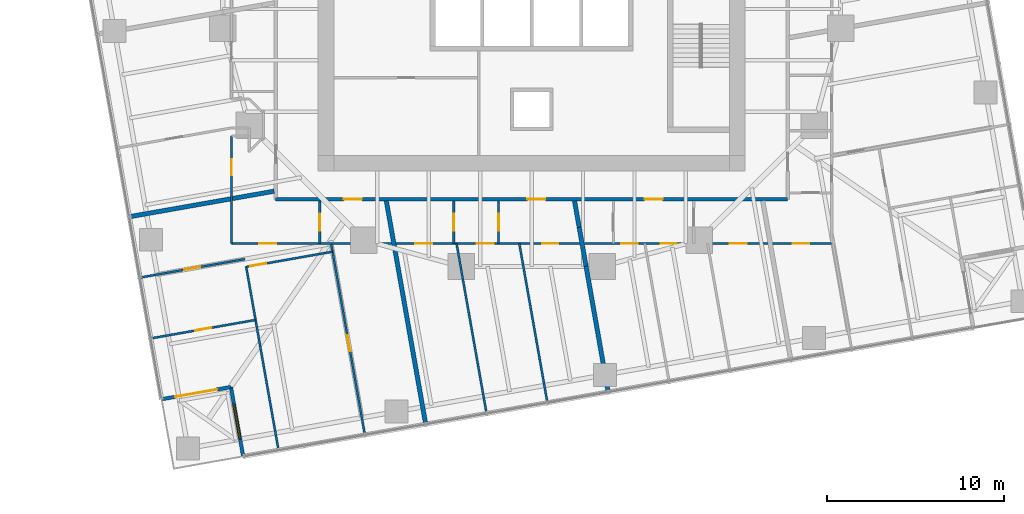
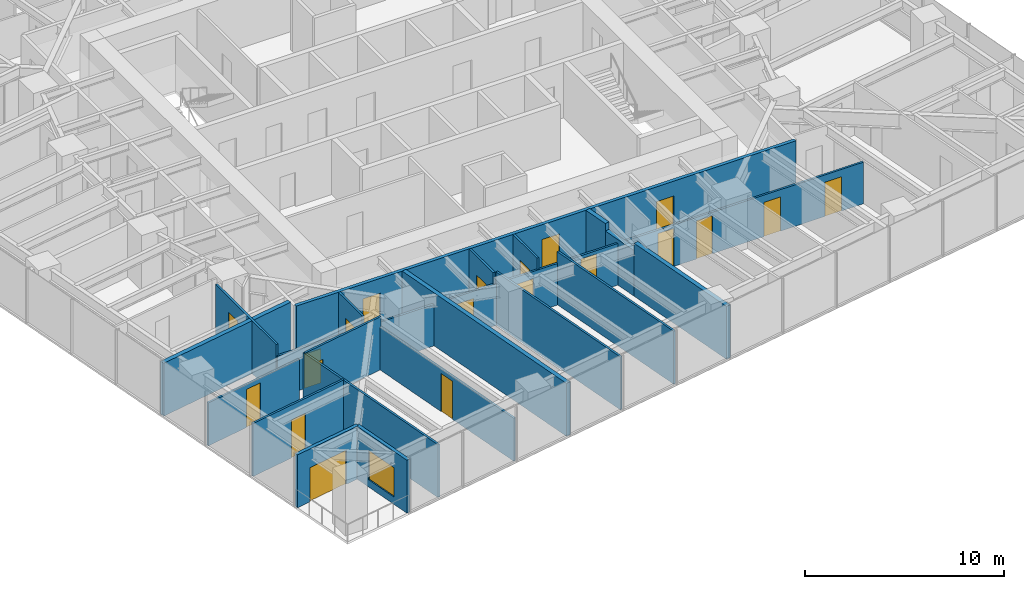
# One storey, part 8 of 14: 20 doors, 20 walls, 1 window, 21 openings.
"""IFC4 building model written with IfcOpenShell, lengths in metres."""

from ifc_helpers import new_model, si_unit, direction, frame, frame_2d, origin, place, context, subcontext, project, spatial, rectangle, extrude, material, layer, layer_set, type_object, element, fill, save


model = new_model("IFC4")

# Units and contexts
model_context = context("Model", 3, precision=1e-05, world=origin(), true_north=direction((0.0, 1.0)))
body_context = subcontext(model_context, "Body", "Model", "MODEL_VIEW")
ifc_project = project(units=[si_unit("LENGTHUNIT", "METRE"), si_unit("AREAUNIT", "SQUARE_METRE"), si_unit("VOLUMEUNIT", "CUBIC_METRE"), si_unit("PLANEANGLEUNIT", "RADIAN"), si_unit("MASSUNIT", "GRAM", prefix="KILO")], contexts=[model_context])

# Site, building, storey
site_placement = place(None, origin())
site = spatial("IfcSite", under=ifc_project, at=site_placement, CompositionType="ELEMENT")
building_placement = place(site_placement, origin())
building = spatial("IfcBuilding", under=site, at=building_placement, Name="Torsade Residences", CompositionType="ELEMENT")
storey_placement = place(building_placement, frame((0.0, 0.0, 89.60009765625)))
storey = spatial("IfcBuildingStorey", under=building, at=storey_placement, Name="L24", CompositionType="ELEMENT", Elevation=89.60009765625)

# Wall, openings, doors
ifc_material_1 = material(Name="Plasterboard on steel stud", Category="steel")
ifc_layer_1 = layer(ifc_material_1, 0.199951171875)
ifc_layer_set_1 = layer_set([ifc_layer_1], Name="Plasterboard on steel stud")
wall_type_1 = type_object("IfcWallType", Name="CORRIDOR WALL 200", PredefinedType="PARTITIONING", material=ifc_layer_set_1)
wall_1_placement = place(storey_placement, frame((25.5, 16.300048828125, 0.0), z_axis=(0.0, 0.0, 1.0), x_axis=(1.0, 0.0, 0.0)))
wall_1 = element("IfcWall", 1, at=wall_1_placement, inside=storey, type_object=wall_type_1, Name="Corridor wall L24", PredefinedType="PARTITIONING", context=body_context, shape_type="SweptSolid", body=[
    extrude(rectangle(XDim=29.0, YDim=0.199951171875, at=frame_2d((14.5, 0.0))), origin(), (0.0, 0.0, 1.0), 3.25),
])
opening_1_placement = place(wall_1_placement, frame((20.896240234375, 0.0, 0.0)))
opening_1 = element("IfcOpeningElement", 2, at=opening_1_placement, cuts=wall_1, Name="Opening D01", PredefinedType="OPENING", context=body_context, shape_type="SweptSolid", body=[
    extrude(rectangle(XDim=1.02001953125, YDim=2.340087890625, at=frame_2d((0.510009765625, 1.169921875))), frame((0.0, 0.10986328125, 0.0), z_axis=(0.0, -1.0, 0.0), x_axis=(1.0, 0.0, 0.0)), (0.0, 0.0, 1.0), 0.219970703125),
])
opening_2_placement = place(wall_1_placement, frame((14.257080078125, 0.0, 0.0)))
opening_2 = element("IfcOpeningElement", 3, at=opening_2_placement, cuts=wall_1, Name="Opening D01", PredefinedType="OPENING", context=body_context, shape_type="SweptSolid", body=[
    extrude(rectangle(XDim=1.02001953125, YDim=2.340087890625, at=frame_2d((0.510009765625, 1.169921875))), frame((0.0, 0.10986328125, 0.0), z_axis=(0.0, -1.0, 0.0), x_axis=(1.0, 0.0, 0.0)), (0.0, 0.0, 1.0), 0.219970703125),
])
opening_3_placement = place(wall_1_placement, frame((3.857421875, 0.0, 0.0)))
opening_3 = element("IfcOpeningElement", 4, at=opening_3_placement, cuts=wall_1, Name="Opening D01", PredefinedType="OPENING", context=body_context, shape_type="SweptSolid", body=[
    extrude(rectangle(XDim=1.02001953125, YDim=2.340087890625, at=frame_2d((0.510009765625, 1.169921875))), frame((0.0, 0.10986328125, 0.0), z_axis=(0.0, -1.0, 0.0), x_axis=(1.0, 0.0, 0.0)), (0.0, 0.0, 1.0), 0.219970703125),
])
ifc_material_2 = material(Name="Solid-core timber fire door", Category="wood")
door_type_1 = type_object("IfcDoorType", Name="APARTMENT ENTRY DOOR 1020x2340", OperationType="NOTDEFINED", PredefinedType="DOOR", material=ifc_material_2)
door_1_placement = place(opening_1_placement, origin())
door_1 = element("IfcDoor", 5, at=door_1_placement, inside=storey, type_object=door_type_1, Name="Door Residential corridor to Kitchen and dining", OperationType="SINGLE_SWING_LEFT", OverallHeight=2.340087890625, OverallWidth=1.02001953125, PredefinedType="DOOR", context=body_context, shape_type="SweptSolid", body=[
    extrude(rectangle(XDim=1.02001953125, YDim=2.340087890625, at=frame_2d((0.510009765625, 1.169921875))), frame((0.0, 0.02490234375, 0.0), z_axis=(0.0, -1.0, 0.0), x_axis=(1.0, 0.0, 0.0)), (0.0, 0.0, 1.0), 0.050048828125),
])
fill(opening_1, door_1)
door_2_placement = place(opening_2_placement, origin())
door_2 = element("IfcDoor", 6, at=door_2_placement, inside=storey, type_object=door_type_1, Name="Door Residential corridor to Kitchen and dining", OperationType="SINGLE_SWING_LEFT", OverallHeight=2.340087890625, OverallWidth=1.02001953125, PredefinedType="DOOR", context=body_context, shape_type="SweptSolid", body=[
    extrude(rectangle(XDim=1.02001953125, YDim=2.340087890625, at=frame_2d((0.510009765625, 1.169921875))), frame((0.0, 0.02490234375, 0.0), z_axis=(0.0, -1.0, 0.0), x_axis=(1.0, 0.0, 0.0)), (0.0, 0.0, 1.0), 0.050048828125),
])
fill(opening_2, door_2)
door_3_placement = place(opening_3_placement, origin())
door_3 = element("IfcDoor", 7, at=door_3_placement, inside=storey, type_object=door_type_1, Name="Door Residential corridor to Kitchen and dining", OperationType="SINGLE_SWING_RIGHT", OverallHeight=2.340087890625, OverallWidth=1.02001953125, PredefinedType="DOOR", context=body_context, shape_type="SweptSolid", body=[
    extrude(rectangle(XDim=1.02001953125, YDim=2.340087890625, at=frame_2d((0.510009765625, 1.169921875))), frame((0.0, 0.02490234375, 0.0), z_axis=(0.0, -1.0, 0.0), x_axis=(1.0, 0.0, 0.0)), (0.0, 0.0, 1.0), 0.050048828125),
])
fill(opening_3, door_3)

# Wall, opening, door
ifc_material_3 = material(Name="Plasterboard on steel stud", Category="steel")
ifc_layer_2 = layer(ifc_material_3, 0.1201171875)
ifc_layer_set_2 = layer_set([ifc_layer_2], Name="Plasterboard on steel stud")
wall_type_2 = type_object("IfcWallType", Name="PARTITION 120", PredefinedType="PARTITIONING", material=ifc_layer_set_2)
wall_2_placement = place(storey_placement, frame((23.0, 13.800048828125, 0.0), z_axis=(0.0, 0.0, 1.0), x_axis=(0.0, 1.0, 0.0)))
wall_2 = element("IfcWall", 8, at=wall_2_placement, inside=storey, type_object=wall_type_2, Name="Partition L24", PredefinedType="PARTITIONING", context=body_context, shape_type="SweptSolid", body=[
    extrude(rectangle(XDim=6.09423828125, YDim=0.1201171875, at=frame_2d((3.047119140625, 0.0))), origin(), (0.0, 0.0, 1.0), 3.25),
])
opening_4_placement = place(wall_2_placement, frame((3.857421875, 0.0, 0.0)))
opening_4 = element("IfcOpeningElement", 9, at=opening_4_placement, cuts=wall_2, Name="Opening D02", PredefinedType="OPENING", context=body_context, shape_type="SweptSolid", body=[
    extrude(rectangle(XDim=0.919921875, YDim=2.340087890625, at=frame_2d((0.4599609375, 1.169921875))), frame((0.0, 0.070068359375, 0.0), z_axis=(0.0, -1.0, 0.0), x_axis=(1.0, 0.0, 0.0)), (0.0, 0.0, 1.0), 0.14013671875),
])
ifc_material_4 = material(Name="Hollow-core timber door", Category="wood")
door_type_2 = type_object("IfcDoorType", Name="INTERNAL DOOR 920x2340", OperationType="NOTDEFINED", PredefinedType="DOOR", material=ifc_material_4)
door_4_placement = place(opening_4_placement, origin())
door_4 = element("IfcDoor", 10, at=door_4_placement, inside=storey, type_object=door_type_2, Name="Door Kitchen and dining to Bedroom 1", OperationType="SINGLE_SWING_LEFT", OverallHeight=2.340087890625, OverallWidth=0.919921875, PredefinedType="DOOR", context=body_context, shape_type="SweptSolid", body=[
    extrude(rectangle(XDim=0.919921875, YDim=2.340087890625, at=frame_2d((0.4599609375, 1.169921875))), frame((0.0, 0.02490234375, 0.0), z_axis=(0.0, -1.0, 0.0), x_axis=(1.0, 0.0, 0.0)), (0.0, 0.0, 1.0), 0.050048828125),
])
fill(opening_4, door_4)

wall_3_placement = place(storey_placement, frame((27.994873046875, 13.800048828125, 0.0), z_axis=(0.0, 0.0, 1.0), x_axis=(0.0, 1.0, 0.0)))
wall_3 = element("IfcWall", 11, at=wall_3_placement, inside=storey, type_object=wall_type_2, Name="Partition L24", PredefinedType="PARTITIONING", context=body_context, shape_type="SweptSolid", body=[
    extrude(rectangle(XDim=2.39990234375, YDim=0.1201171875, at=frame_2d((1.199951171875, 0.0))), origin(), (0.0, 0.0, 1.0), 3.25),
])
opening_5_placement = place(wall_3_placement, frame((0.719970703125, 0.0, 0.0)))
opening_5 = element("IfcOpeningElement", 12, at=opening_5_placement, cuts=wall_3, Name="Opening D05", PredefinedType="OPENING", context=body_context, shape_type="SweptSolid", body=[
    extrude(rectangle(XDim=0.9599609375, YDim=2.10009765625, at=frame_2d((0.47998046875, 1.050048828125))), frame((0.0, 0.070068359375, 0.0), z_axis=(0.0, -1.0, 0.0), x_axis=(1.0, 0.0, 0.0)), (0.0, 0.0, 1.0), 0.14013671875),
])
ifc_material_5 = material(Name="Hollow-core timber door in a steel cavity frame", Category="steel")
door_type_3 = type_object("IfcDoorType", Name="BATHROOM CAVITY SLIDING DOOR 960", OperationType="SLIDING_TO_LEFT", PredefinedType="DOOR", material=ifc_material_5)
door_5_placement = place(opening_5_placement, origin())
door_5 = element("IfcDoor", 13, at=door_5_placement, inside=storey, type_object=door_type_3, Name="Door Kitchen and dining to Bathroom", OperationType="SLIDING_TO_LEFT", OverallHeight=2.10009765625, OverallWidth=0.9599609375, PredefinedType="DOOR", context=body_context, shape_type="SweptSolid", body=[
    extrude(rectangle(XDim=0.9599609375, YDim=2.10009765625, at=frame_2d((0.47998046875, 1.050048828125))), frame((0.0, 0.02490234375, 0.0), z_axis=(0.0, -1.0, 0.0), x_axis=(1.0, 0.0, 0.0)), (0.0, 0.0, 1.0), 0.050048828125),
])
fill(opening_5, door_5)

# Wall, openings, doors
wall_4_placement = place(storey_placement, frame((57.0, 13.800048828125, 0.0), z_axis=(0.0, 0.0, 1.0), x_axis=(-1.0, 0.0, 0.0)))
wall_4 = element("IfcWall", 14, at=wall_4_placement, inside=storey, type_object=wall_type_2, Name="Partition L24", PredefinedType="PARTITIONING", context=body_context, shape_type="SweptSolid", body=[
    extrude(rectangle(XDim=34.0, YDim=0.1201171875, at=frame_2d((17.0, 0.0))), origin(), (0.0, 0.0, 1.0), 2.5498046875),
])
opening_6_placement = place(wall_4_placement, frame((8.767822265625, 0.0, 0.0)))
opening_6 = element("IfcOpeningElement", 15, at=opening_6_placement, cuts=wall_4, Name="Opening D02", PredefinedType="OPENING", context=body_context, shape_type="SweptSolid", body=[
    extrude(rectangle(XDim=0.919921875, YDim=2.340087890625, at=frame_2d((0.4599609375, 1.169921875))), frame((0.0, 0.070068359375, 0.0), z_axis=(0.0, -1.0, 0.0), x_axis=(1.0, 0.0, 0.0)), (0.0, 0.0, 1.0), 0.14013671875),
])
opening_7_placement = place(wall_4_placement, frame((10.995361328125, 0.0, 0.0)))
opening_7 = element("IfcOpeningElement", 16, at=opening_7_placement, cuts=wall_4, Name="Opening D02", PredefinedType="OPENING", context=body_context, shape_type="SweptSolid", body=[
    extrude(rectangle(XDim=0.919921875, YDim=2.340087890625, at=frame_2d((0.4599609375, 1.169921875))), frame((0.0, 0.070068359375, 0.0), z_axis=(0.0, -1.0, 0.0), x_axis=(1.0, 0.0, 0.0)), (0.0, 0.0, 1.0), 0.14013671875),
])
opening_8_placement = place(wall_4_placement, frame((15.48583984375, 0.0, 0.0)))
opening_8 = element("IfcOpeningElement", 17, at=opening_8_placement, cuts=wall_4, Name="Opening D02", PredefinedType="OPENING", context=body_context, shape_type="SweptSolid", body=[
    extrude(rectangle(XDim=0.919921875, YDim=2.340087890625, at=frame_2d((0.4599609375, 1.169921875))), frame((0.0, 0.070068359375, 0.0), z_axis=(0.0, -1.0, 0.0), x_axis=(1.0, 0.0, 0.0)), (0.0, 0.0, 1.0), 0.14013671875),
])
opening_9_placement = place(wall_4_placement, frame((4.803955078125, 0.0, 0.0)))
opening_9 = element("IfcOpeningElement", 18, at=opening_9_placement, cuts=wall_4, Name="Opening D05", PredefinedType="OPENING", context=body_context, shape_type="SweptSolid", body=[
    extrude(rectangle(XDim=0.9599609375, YDim=2.10009765625, at=frame_2d((0.47998046875, 1.050048828125))), frame((0.0, 0.070068359375, 0.0), z_axis=(0.0, -1.0, 0.0), x_axis=(1.0, 0.0, 0.0)), (0.0, 0.0, 1.0), 0.14013671875),
])
opening_10_placement = place(wall_4_placement, frame((19.155029296875, 0.0, 0.0)))
opening_10 = element("IfcOpeningElement", 19, at=opening_10_placement, cuts=wall_4, Name="Opening D05", PredefinedType="OPENING", context=body_context, shape_type="SweptSolid", body=[
    extrude(rectangle(XDim=0.9599609375, YDim=2.10009765625, at=frame_2d((0.47998046875, 1.050048828125))), frame((0.0, 0.070068359375, 0.0), z_axis=(0.0, -1.0, 0.0), x_axis=(1.0, 0.0, 0.0)), (0.0, 0.0, 1.0), 0.14013671875),
])
opening_11_placement = place(wall_4_placement, frame((31.47265625, 0.0, 0.0)))
opening_11 = element("IfcOpeningElement", 20, at=opening_11_placement, cuts=wall_4, Name="Opening D05", PredefinedType="OPENING", context=body_context, shape_type="SweptSolid", body=[
    extrude(rectangle(XDim=0.9599609375, YDim=2.10009765625, at=frame_2d((0.47998046875, 1.050048828125))), frame((0.0, 0.070068359375, 0.0), z_axis=(0.0, -1.0, 0.0), x_axis=(1.0, 0.0, 0.0)), (0.0, 0.0, 1.0), 0.14013671875),
])
opening_12_placement = place(wall_4_placement, frame((1.2607421875, 0.0, 0.0)))
opening_12 = element("IfcOpeningElement", 21, at=opening_12_placement, cuts=wall_4, Name="Opening D05", PredefinedType="OPENING", context=body_context, shape_type="SweptSolid", body=[
    extrude(rectangle(XDim=0.9599609375, YDim=2.10009765625, at=frame_2d((0.47998046875, 1.050048828125))), frame((0.0, 0.070068359375, 0.0), z_axis=(0.0, -1.0, 0.0), x_axis=(1.0, 0.0, 0.0)), (0.0, 0.0, 1.0), 0.14013671875),
])
opening_13_placement = place(wall_4_placement, frame((22.627197265625, 0.0, 0.0)))
opening_13 = element("IfcOpeningElement", 22, at=opening_13_placement, cuts=wall_4, Name="Opening D05", PredefinedType="OPENING", context=body_context, shape_type="SweptSolid", body=[
    extrude(rectangle(XDim=0.9599609375, YDim=2.10009765625, at=frame_2d((0.47998046875, 1.050048828125))), frame((0.0, 0.070068359375, 0.0), z_axis=(0.0, -1.0, 0.0), x_axis=(1.0, 0.0, 0.0)), (0.0, 0.0, 1.0), 0.14013671875),
])
door_6_placement = place(opening_9_placement, origin())
door_6 = element("IfcDoor", 23, at=door_6_placement, inside=storey, type_object=door_type_3, Name="Door Bathroom to Bedroom 2", OperationType="SLIDING_TO_LEFT", OverallHeight=2.10009765625, OverallWidth=0.9599609375, PredefinedType="DOOR", context=body_context, shape_type="SweptSolid", body=[
    extrude(rectangle(XDim=0.9599609375, YDim=2.10009765625, at=frame_2d((0.47998046875, 1.050048828125))), frame((0.0, 0.02490234375, 0.0), z_axis=(0.0, -1.0, 0.0), x_axis=(1.0, 0.0, 0.0)), (0.0, 0.0, 1.0), 0.050048828125),
])
fill(opening_9, door_6)
door_7_placement = place(opening_10_placement, origin())
door_7 = element("IfcDoor", 24, at=door_7_placement, inside=storey, type_object=door_type_3, Name="Door Ensuite to Bedroom 1", OperationType="SLIDING_TO_LEFT", OverallHeight=2.10009765625, OverallWidth=0.9599609375, PredefinedType="DOOR", context=body_context, shape_type="SweptSolid", body=[
    extrude(rectangle(XDim=0.9599609375, YDim=2.10009765625, at=frame_2d((0.47998046875, 1.050048828125))), frame((0.0, 0.02490234375, 0.0), z_axis=(0.0, -1.0, 0.0), x_axis=(1.0, 0.0, 0.0)), (0.0, 0.0, 1.0), 0.050048828125),
])
fill(opening_10, door_7)
door_8_placement = place(opening_11_placement, origin())
door_8 = element("IfcDoor", 25, at=door_8_placement, inside=storey, type_object=door_type_3, Name="Door Bathroom to Study", OperationType="SLIDING_TO_LEFT", OverallHeight=2.10009765625, OverallWidth=0.9599609375, PredefinedType="DOOR", context=body_context, shape_type="SweptSolid", body=[
    extrude(rectangle(XDim=0.9599609375, YDim=2.10009765625, at=frame_2d((0.47998046875, 1.050048828125))), frame((0.0, 0.02490234375, 0.0), z_axis=(0.0, -1.0, 0.0), x_axis=(1.0, 0.0, 0.0)), (0.0, 0.0, 1.0), 0.050048828125),
])
fill(opening_11, door_8)
door_9_placement = place(opening_12_placement, origin())
door_9 = element("IfcDoor", 26, at=door_9_placement, inside=storey, type_object=door_type_3, Name="Door WC to Family room", OperationType="SLIDING_TO_LEFT", OverallHeight=2.10009765625, OverallWidth=0.9599609375, PredefinedType="DOOR", context=body_context, shape_type="SweptSolid", body=[
    extrude(rectangle(XDim=0.9599609375, YDim=2.10009765625, at=frame_2d((0.47998046875, 1.050048828125))), frame((0.0, 0.02490234375, 0.0), z_axis=(0.0, -1.0, 0.0), x_axis=(1.0, 0.0, 0.0)), (0.0, 0.0, 1.0), 0.050048828125),
])
fill(opening_12, door_9)
door_10_placement = place(opening_13_placement, origin())
door_10 = element("IfcDoor", 27, at=door_10_placement, inside=storey, type_object=door_type_3, Name="Door Bathroom to Living room", OperationType="SLIDING_TO_LEFT", OverallHeight=2.10009765625, OverallWidth=0.9599609375, PredefinedType="DOOR", context=body_context, shape_type="SweptSolid", body=[
    extrude(rectangle(XDim=0.9599609375, YDim=2.10009765625, at=frame_2d((0.47998046875, 1.050048828125))), frame((0.0, 0.02490234375, 0.0), z_axis=(0.0, -1.0, 0.0), x_axis=(1.0, 0.0, 0.0)), (0.0, 0.0, 1.0), 0.050048828125),
])
fill(opening_13, door_10)
door_11_placement = place(opening_6_placement, origin())
door_11 = element("IfcDoor", 28, at=door_11_placement, inside=storey, type_object=door_type_2, Name="Door Kitchen and dining to Bedroom 1", OperationType="SINGLE_SWING_LEFT", OverallHeight=2.340087890625, OverallWidth=0.919921875, PredefinedType="DOOR", context=body_context, shape_type="SweptSolid", body=[
    extrude(rectangle(XDim=0.919921875, YDim=2.340087890625, at=frame_2d((0.4599609375, 1.169921875))), frame((0.0, 0.02490234375, 0.0), z_axis=(0.0, -1.0, 0.0), x_axis=(1.0, 0.0, 0.0)), (0.0, 0.0, 1.0), 0.050048828125),
])
fill(opening_6, door_11)
door_12_placement = place(opening_7_placement, origin())
door_12 = element("IfcDoor", 29, at=door_12_placement, inside=storey, type_object=door_type_2, Name="Door Kitchen and dining to Living room", OperationType="SINGLE_SWING_LEFT", OverallHeight=2.340087890625, OverallWidth=0.919921875, PredefinedType="DOOR", context=body_context, shape_type="SweptSolid", body=[
    extrude(rectangle(XDim=0.919921875, YDim=2.340087890625, at=frame_2d((0.4599609375, 1.169921875))), frame((0.0, 0.02490234375, 0.0), z_axis=(0.0, -1.0, 0.0), x_axis=(1.0, 0.0, 0.0)), (0.0, 0.0, 1.0), 0.050048828125),
])
fill(opening_7, door_12)
door_13_placement = place(opening_8_placement, origin())
door_13 = element("IfcDoor", 30, at=door_13_placement, inside=storey, type_object=door_type_2, Name="Door Kitchen and dining to Bedroom 2", OperationType="SINGLE_SWING_LEFT", OverallHeight=2.340087890625, OverallWidth=0.919921875, PredefinedType="DOOR", context=body_context, shape_type="SweptSolid", body=[
    extrude(rectangle(XDim=0.919921875, YDim=2.340087890625, at=frame_2d((0.4599609375, 1.169921875))), frame((0.0, 0.02490234375, 0.0), z_axis=(0.0, -1.0, 0.0), x_axis=(1.0, 0.0, 0.0)), (0.0, 0.0, 1.0), 0.050048828125),
])
fill(opening_8, door_13)

# Wall, opening, door
wall_5_placement = place(storey_placement, frame((28.647705078125, 13.759765625, 0.0), z_axis=(0.0, 0.0, 1.0), x_axis=(0.173632532564, -0.984810511538, 0.0)))
wall_5 = element("IfcWall", 31, at=wall_5_placement, inside=storey, type_object=wall_type_2, Name="Partition L24", PredefinedType="PARTITIONING", context=body_context, shape_type="SweptSolid", body=[
    extrude(rectangle(XDim=10.93798828125, YDim=0.1201171875, at=frame_2d((5.468994140625, 0.0))), origin(), (0.0, 0.0, 1.0), 2.637939453125),
])
opening_14_placement = place(wall_5_placement, frame((5.24267578125, 0.0, 0.0)))
opening_14 = element("IfcOpeningElement", 32, at=opening_14_placement, cuts=wall_5, Name="Opening D02", PredefinedType="OPENING", context=body_context, shape_type="SweptSolid", body=[
    extrude(rectangle(XDim=0.919921875, YDim=2.340087890625, at=frame_2d((0.4599609375, 1.169921875))), frame((0.0, 0.070068359375, 0.0), z_axis=(0.0, -1.0, 0.0), x_axis=(1.0, 0.0, 0.0)), (0.0, 0.0, 1.0), 0.14013671875),
])
door_14_placement = place(opening_14_placement, origin())
door_14 = element("IfcDoor", 33, at=door_14_placement, inside=storey, type_object=door_type_2, Name="Door Living room to Bedroom 1", OperationType="SINGLE_SWING_LEFT", OverallHeight=2.340087890625, OverallWidth=0.919921875, PredefinedType="DOOR", context=body_context, shape_type="SweptSolid", body=[
    extrude(rectangle(XDim=0.919921875, YDim=2.340087890625, at=frame_2d((0.4599609375, 1.169921875))), frame((0.0, 0.02490234375, 0.0), z_axis=(0.0, -1.0, 0.0), x_axis=(1.0, 0.0, 0.0)), (0.0, 0.0, 1.0), 0.050048828125),
])
fill(opening_14, door_14)

# Wall
wall_6_placement = place(storey_placement, frame((25.65576171875, 2.125732421875, 0.0), z_axis=(0.0, 0.0, 1.0), x_axis=(-0.173653317458, 0.984806846715, 0.0)))
element("IfcWall", 34, at=wall_6_placement, inside=storey, type_object=wall_type_2, Name="Partition L24", PredefinedType="PARTITIONING", context=body_context, shape_type="SweptSolid", body=[
    extrude(rectangle(XDim=10.550048828125, YDim=0.1201171875, at=frame_2d((5.27490234375, 0.0))), origin(), (0.0, 0.0, 1.0), 3.25),
])

# Wall, opening, door
wall_7_placement = place(storey_placement, frame((23.830810546875, 12.47607421875, 0.0), z_axis=(0.0, 0.0, 1.0), x_axis=(0.984810765884, 0.173631089957, 0.0)))
wall_7 = element("IfcWall", 35, at=wall_7_placement, inside=storey, type_object=wall_type_2, Name="Partition L24", PredefinedType="PARTITIONING", context=body_context, shape_type="SweptSolid", body=[
    extrude(rectangle(XDim=4.96630859375, YDim=0.1201171875, at=frame_2d((2.483154296875, 0.0))), origin(), (0.0, 0.0, 1.0), 3.25),
])
opening_15_placement = place(wall_7_placement, frame((0.223388671875, 0.0, 0.0)))
opening_15 = element("IfcOpeningElement", 36, at=opening_15_placement, cuts=wall_7, Name="Opening D02", PredefinedType="OPENING", context=body_context, shape_type="SweptSolid", body=[
    extrude(rectangle(XDim=0.919921875, YDim=2.340087890625, at=frame_2d((0.4599609375, 1.169921875))), frame((0.0, 0.070068359375, 0.0), z_axis=(0.0, -1.0, 0.0), x_axis=(1.0, 0.0, 0.0)), (0.0, 0.0, 1.0), 0.14013671875),
])
door_15_placement = place(opening_15_placement, origin())
door_15 = element("IfcDoor", 37, at=door_15_placement, inside=storey, type_object=door_type_2, Name="Door Study to Living room", OperationType="SINGLE_SWING_LEFT", OverallHeight=2.340087890625, OverallWidth=0.919921875, PredefinedType="DOOR", context=body_context, shape_type="SweptSolid", body=[
    extrude(rectangle(XDim=0.919921875, YDim=2.340087890625, at=frame_2d((0.4599609375, 1.169921875))), frame((0.0, 0.02490234375, 0.0), z_axis=(0.0, -1.0, 0.0), x_axis=(1.0, 0.0, 0.0)), (0.0, 0.0, 1.0), 0.050048828125),
])
fill(opening_15, door_15)

wall_8_placement = place(storey_placement, frame((18.4580078125, 8.431640625, 0.0), z_axis=(0.0, 0.0, 1.0), x_axis=(0.984806924634, 0.173652875567, 0.0)))
wall_8 = element("IfcWall", 38, at=wall_8_placement, inside=storey, type_object=wall_type_2, Name="Partition L24", PredefinedType="PARTITIONING", context=body_context, shape_type="SweptSolid", body=[
    extrude(rectangle(XDim=5.993408203125, YDim=0.1201171875, at=frame_2d((2.99658203125, 0.0))), origin(), (0.0, 0.0, 1.0), 3.25),
])
opening_16_placement = place(wall_8_placement, frame((2.5166015625, 0.0, 0.0)))
opening_16 = element("IfcOpeningElement", 39, at=opening_16_placement, cuts=wall_8, Name="Opening D02", PredefinedType="OPENING", context=body_context, shape_type="SweptSolid", body=[
    extrude(rectangle(XDim=0.919921875, YDim=2.340087890625, at=frame_2d((0.4599609375, 1.169921875))), frame((0.0, 0.070068359375, 0.0), z_axis=(0.0, -1.0, 0.0), x_axis=(1.0, 0.0, 0.0)), (0.0, 0.0, 1.0), 0.14013671875),
])
door_16_placement = place(opening_16_placement, origin())
door_16 = element("IfcDoor", 40, at=door_16_placement, inside=storey, type_object=door_type_2, Name="Door Family room to Bedroom 2", OperationType="SINGLE_SWING_RIGHT", OverallHeight=2.340087890625, OverallWidth=0.919921875, PredefinedType="DOOR", context=body_context, shape_type="SweptSolid", body=[
    extrude(rectangle(XDim=0.919921875, YDim=2.340087890625, at=frame_2d((0.4599609375, 1.169921875))), frame((0.0, 0.02490234375, 0.0), z_axis=(0.0, -1.0, 0.0), x_axis=(1.0, 0.0, 0.0)), (0.0, 0.0, 1.0), 0.050048828125),
])
fill(opening_16, door_16)

wall_9_placement = place(storey_placement, frame((23.752685546875, 12.919189453125, 0.0), z_axis=(0.0, 0.0, 1.0), x_axis=(-0.984806924634, -0.173652875567, 0.0)))
wall_9 = element("IfcWall", 41, at=wall_9_placement, inside=storey, type_object=wall_type_2, Name="Partition L24", PredefinedType="PARTITIONING", context=body_context, shape_type="SweptSolid", body=[
    extrude(rectangle(XDim=5.993408203125, YDim=0.1201171875, at=frame_2d((2.99658203125, 0.0))), origin(), (0.0, 0.0, 1.0), 2.637939453125),
])
opening_17_placement = place(wall_9_placement, frame((2.556640625, 0.0, 0.0)))
opening_17 = element("IfcOpeningElement", 42, at=opening_17_placement, cuts=wall_9, Name="Opening D02", PredefinedType="OPENING", context=body_context, shape_type="SweptSolid", body=[
    extrude(rectangle(XDim=0.919921875, YDim=2.340087890625, at=frame_2d((0.4599609375, 1.169921875))), frame((0.0, 0.070068359375, 0.0), z_axis=(0.0, -1.0, 0.0), x_axis=(1.0, 0.0, 0.0)), (0.0, 0.0, 1.0), 0.14013671875),
])
door_17_placement = place(opening_17_placement, origin())
door_17 = element("IfcDoor", 43, at=door_17_placement, inside=storey, type_object=door_type_2, Name="Door Study to Family room", OperationType="SINGLE_SWING_RIGHT", OverallHeight=2.340087890625, OverallWidth=0.919921875, PredefinedType="DOOR", context=body_context, shape_type="SweptSolid", body=[
    extrude(rectangle(XDim=0.919921875, YDim=2.340087890625, at=frame_2d((0.4599609375, 1.169921875))), frame((0.0, 0.02490234375, 0.0), z_axis=(0.0, -1.0, 0.0), x_axis=(1.0, 0.0, 0.0)), (0.0, 0.0, 1.0), 0.050048828125),
])
fill(opening_17, door_17)

wall_10_placement = place(storey_placement, frame((38.132080078125, 13.800048828125, 0.0), z_axis=(0.0, 0.0, 1.0), x_axis=(0.0, 1.0, 0.0)))
wall_10 = element("IfcWall", 44, at=wall_10_placement, inside=storey, type_object=wall_type_2, Name="Partition L24", PredefinedType="PARTITIONING", context=body_context, shape_type="SweptSolid", body=[
    extrude(rectangle(XDim=2.39990234375, YDim=0.1201171875, at=frame_2d((1.199951171875, 0.0))), origin(), (0.0, 0.0, 1.0), 3.25),
])
opening_18_placement = place(wall_10_placement, frame((0.719970703125, 0.0, 0.0)))
opening_18 = element("IfcOpeningElement", 45, at=opening_18_placement, cuts=wall_10, Name="Opening D05", PredefinedType="OPENING", context=body_context, shape_type="SweptSolid", body=[
    extrude(rectangle(XDim=0.9599609375, YDim=2.10009765625, at=frame_2d((0.47998046875, 1.050048828125))), frame((0.0, 0.070068359375, 0.0), z_axis=(0.0, -1.0, 0.0), x_axis=(1.0, 0.0, 0.0)), (0.0, 0.0, 1.0), 0.14013671875),
])
door_18_placement = place(opening_18_placement, origin())
door_18 = element("IfcDoor", 46, at=door_18_placement, inside=storey, type_object=door_type_3, Name="Door Kitchen and dining to Ensuite", OperationType="SLIDING_TO_LEFT", OverallHeight=2.10009765625, OverallWidth=0.9599609375, PredefinedType="DOOR", context=body_context, shape_type="SweptSolid", body=[
    extrude(rectangle(XDim=0.9599609375, YDim=2.10009765625, at=frame_2d((0.47998046875, 1.050048828125))), frame((0.0, 0.02490234375, 0.0), z_axis=(0.0, -1.0, 0.0), x_axis=(1.0, 0.0, 0.0)), (0.0, 0.0, 1.0), 0.050048828125),
])
fill(opening_18, door_18)

wall_11_placement = place(storey_placement, frame((35.591064453125, 16.199951171875, 0.0), z_axis=(0.0, 0.0, 1.0), x_axis=(0.0, -1.0, 0.0)))
wall_11 = element("IfcWall", 47, at=wall_11_placement, inside=storey, type_object=wall_type_2, Name="Partition L24", PredefinedType="PARTITIONING", context=body_context, shape_type="SweptSolid", body=[
    extrude(rectangle(XDim=2.39990234375, YDim=0.1201171875, at=frame_2d((1.199951171875, 0.0))), origin(), (0.0, 0.0, 1.0), 3.25),
])
opening_19_placement = place(wall_11_placement, frame((0.719970703125, 0.0, 0.0)))
opening_19 = element("IfcOpeningElement", 48, at=opening_19_placement, cuts=wall_11, Name="Opening D05", PredefinedType="OPENING", context=body_context, shape_type="SweptSolid", body=[
    extrude(rectangle(XDim=0.9599609375, YDim=2.10009765625, at=frame_2d((0.47998046875, 1.050048828125))), frame((0.0, 0.070068359375, 0.0), z_axis=(0.0, -1.0, 0.0), x_axis=(1.0, 0.0, 0.0)), (0.0, 0.0, 1.0), 0.14013671875),
])
door_19_placement = place(opening_19_placement, origin())
door_19 = element("IfcDoor", 49, at=door_19_placement, inside=storey, type_object=door_type_3, Name="Door Ensuite to Bathroom", OperationType="SLIDING_TO_LEFT", OverallHeight=2.10009765625, OverallWidth=0.9599609375, PredefinedType="DOOR", context=body_context, shape_type="SweptSolid", body=[
    extrude(rectangle(XDim=0.9599609375, YDim=2.10009765625, at=frame_2d((0.47998046875, 1.050048828125))), frame((0.0, 0.02490234375, 0.0), z_axis=(0.0, -1.0, 0.0), x_axis=(1.0, 0.0, 0.0)), (0.0, 0.0, 1.0), 0.050048828125),
])
fill(opening_19, door_19)

# Walls
wall_12_placement = place(storey_placement, frame((35.74853515625, 13.800048828125, 0.0), z_axis=(0.0, 0.0, 1.0), x_axis=(0.173650980998, -0.984807258705, 0.0)))
element("IfcWall", 50, at=wall_12_placement, inside=storey, type_object=wall_type_2, Name="Partition L24", PredefinedType="PARTITIONING", context=body_context, shape_type="SweptSolid", body=[
    extrude(rectangle(XDim=9.744384765625, YDim=0.1201171875, at=frame_2d((4.8720703125, 0.0))), origin(), (0.0, 0.0, 1.0), 3.25),
])
wall_13_placement = place(storey_placement, frame((39.302490234375, 13.800048828125, 0.0), z_axis=(0.0, 0.0, 1.0), x_axis=(0.173652576186, -0.984806977424, 0.0)))
element("IfcWall", 51, at=wall_13_placement, inside=storey, type_object=wall_type_2, Name="Partition L24", PredefinedType="PARTITIONING", context=body_context, shape_type="SweptSolid", body=[
    extrude(rectangle(XDim=9.127197265625, YDim=0.1201171875, at=frame_2d((4.5634765625, 0.0))), origin(), (0.0, 0.0, 1.0), 3.25),
])
ifc_material_6 = material(Name="Masonry-lined stud party wall", Category="masonry")
ifc_layer_3 = layer(ifc_material_6, 0.25)
ifc_layer_set_3 = layer_set([ifc_layer_3], Name="Masonry-lined stud party wall")
wall_type_3 = type_object("IfcWallType", Name="PARTY WALL 250", PredefinedType="PARTITIONING", material=ifc_layer_set_3)
wall_14_placement = place(storey_placement, frame((44.34130859375, 5.3798828125, 0.0), z_axis=(0.0, 0.0, 1.0), x_axis=(-0.173677660443, 0.984802553948, 0.0)))
element("IfcWall", 52, at=wall_14_placement, inside=storey, type_object=wall_type_3, Name="Party wall L24", PredefinedType="PARTITIONING", context=body_context, shape_type="SweptSolid", body=[
    extrude(rectangle(XDim=7.24365234375, YDim=0.25, at=frame_2d((3.621826171875, 0.0))), origin(), (0.0, 0.0, 1.0), 3.25),
])
wall_15_placement = place(storey_placement, frame((43.083251953125, 12.513427734375, 0.0), z_axis=(0.0, 0.0, 1.0), x_axis=(-0.17363609779, 0.984809882944, 0.0)))
element("IfcWall", 53, at=wall_15_placement, inside=storey, type_object=wall_type_3, Name="Party wall L24", PredefinedType="PARTITIONING", context=body_context, shape_type="SweptSolid", body=[
    extrude(rectangle(XDim=2.23974609375, YDim=0.25, at=frame_2d((1.119873046875, 0.0))), origin(), (0.0, 0.0, 1.0), 2.7958984375),
])
wall_16_placement = place(storey_placement, frame((42.6943359375, 14.71923828125, 0.0), z_axis=(0.0, 0.0, 1.0), x_axis=(-0.173602272028, 0.984815846312, 0.0)))
element("IfcWall", 54, at=wall_16_placement, inside=storey, type_object=wall_type_3, Name="Party wall L24", PredefinedType="PARTITIONING", context=body_context, shape_type="SweptSolid", body=[
    extrude(rectangle(XDim=1.521728515625, YDim=0.25, at=frame_2d((0.7607421875, 0.0))), origin(), (0.0, 0.0, 1.0), 3.25),
])
wall_17_placement = place(storey_placement, frame((34.000732421875, 3.556396484375, 0.0), z_axis=(0.0, 0.0, 1.0), x_axis=(-0.173639088111, 0.984809355703, 0.0)))
element("IfcWall", 55, at=wall_17_placement, inside=storey, type_object=wall_type_3, Name="Party wall L24", PredefinedType="PARTITIONING", context=body_context, shape_type="SweptSolid", body=[
    extrude(rectangle(XDim=12.856689453125, YDim=0.25, at=frame_2d((6.42822265625, 0.0))), origin(), (0.0, 0.0, 1.0), 3.25),
])
wall_18_placement = place(storey_placement, frame((17.203125, 15.318359375, 0.0), z_axis=(0.0, 0.0, 1.0), x_axis=(0.984807121942, 0.173651756605, 0.0)))
element("IfcWall", 56, at=wall_18_placement, inside=storey, type_object=wall_type_3, Name="Party wall L24", PredefinedType="PARTITIONING", context=body_context, shape_type="SweptSolid", body=[
    extrude(rectangle(XDim=8.34130859375, YDim=0.25, at=frame_2d((4.170654296875, 0.0))), origin(), (0.0, 0.0, 1.0), 3.25),
])

# Wall, opening, door
ifc_material_7 = material(Name="Stone-faced precast concrete 40 MPa panel", Category="masonry")
ifc_layer_4 = layer(ifc_material_7, 0.199951171875)
ifc_layer_set_4 = layer_set([ifc_layer_4], Name="Stone-faced precast concrete 40 MPa panel")
wall_type_4 = type_object("IfcWallType", Name="TERRACE WALL 200", PredefinedType="SOLIDWALL", material=ifc_layer_set_4)
wall_19_placement = place(storey_placement, frame((19.0263671875, 4.977783203125, 0.0), z_axis=(0.0, 0.0, 1.0), x_axis=(0.984808127031, 0.173646056486, 0.0)))
wall_19 = element("IfcWall", 57, at=wall_19_placement, inside=storey, type_object=wall_type_4, Name="Terrace wall L24 11", PredefinedType="SOLIDWALL", context=body_context, shape_type="SweptSolid", body=[
    extrude(rectangle(XDim=4.0, YDim=0.199951171875, at=frame_2d((2.0, 0.0))), origin(), (0.0, 0.0, 1.0), 3.25),
])
opening_20_placement = place(wall_19_placement, frame((0.800048828125, 0.0, 0.0)))
opening_20 = element("IfcOpeningElement", 58, at=opening_20_placement, cuts=wall_19, Name="Opening D10A", PredefinedType="OPENING", context=body_context, shape_type="SweptSolid", body=[
    extrude(rectangle(XDim=2.39990234375, YDim=2.10009765625, at=frame_2d((1.199951171875, 1.050048828125))), frame((0.0, 0.10986328125, 0.0), z_axis=(0.0, -1.0, 0.0), x_axis=(1.0, 0.0, 0.0)), (0.0, 0.0, 1.0), 0.219970703125),
])
ifc_material_8 = material(Name="Aluminium-framed glass door", Category="aluminium")
door_type_4 = type_object("IfcDoorType", Name="TERRACE SLIDING DOOR 2400x2100", OperationType="SLIDING_TO_LEFT", PredefinedType="DOOR", material=ifc_material_8)
door_20_placement = place(opening_20_placement, origin())
door_20 = element("IfcDoor", 59, at=door_20_placement, inside=storey, type_object=door_type_4, Name="Terrace door L24 11", OperationType="SLIDING_TO_LEFT", OverallHeight=2.10009765625, OverallWidth=2.39990234375, PredefinedType="DOOR", context=body_context, shape_type="SweptSolid", body=[
    extrude(rectangle(XDim=2.39990234375, YDim=2.10009765625, at=frame_2d((1.199951171875, 1.050048828125))), frame((0.0, 0.02490234375, 0.0), z_axis=(0.0, -1.0, 0.0), x_axis=(1.0, 0.0, 0.0)), (0.0, 0.0, 1.0), 0.050048828125),
])
fill(opening_20, door_20)

# Wall, opening, window
wall_20_placement = place(storey_placement, frame((22.965576171875, 5.67236328125, 0.0), z_axis=(0.0, 0.0, 1.0), x_axis=(0.173646056486, -0.984808127031, 0.0)))
wall_20 = element("IfcWall", 60, at=wall_20_placement, inside=storey, type_object=wall_type_4, Name="Terrace wall L24 12", PredefinedType="SOLIDWALL", context=body_context, shape_type="SweptSolid", body=[
    extrude(rectangle(XDim=4.0, YDim=0.199951171875, at=frame_2d((2.0, 0.0))), origin(), (0.0, 0.0, 1.0), 3.25),
])
opening_21_placement = place(wall_20_placement, frame((1.0, 0.0, 0.449951171875)))
opening_21 = element("IfcOpeningElement", 61, at=opening_21_placement, cuts=wall_20, Name="Opening W1B", PredefinedType="OPENING", context=body_context, shape_type="SweptSolid", body=[
    extrude(rectangle(XDim=2.0, YDim=1.800048828125, at=frame_2d((1.0, 0.89990234375))), frame((0.0, 0.10986328125, 0.0), z_axis=(0.0, -1.0, 0.0), x_axis=(1.0, 0.0, 0.0)), (0.0, 0.0, 1.0), 0.219970703125),
])
ifc_material_9 = material(Name="Aluminium-framed glass window", Category="aluminium")
window_type = type_object("IfcWindowType", Name="TERRACE WINDOW 2000x1800", PartitioningType="SINGLE_PANEL", PredefinedType="WINDOW", material=ifc_material_9)
window_placement = place(opening_21_placement, origin())
window = element("IfcWindow", 62, at=window_placement, inside=storey, type_object=window_type, Name="Terrace window L24 12", OverallHeight=1.800048828125, OverallWidth=2.0, PartitioningType="SINGLE_PANEL", PredefinedType="WINDOW", context=body_context, shape_type="SweptSolid", body=[
    extrude(rectangle(XDim=2.0, YDim=1.800048828125, at=frame_2d((1.0, 0.89990234375))), frame((0.0, 0.030029296875, 0.0), z_axis=(0.0, -1.0, 0.0), x_axis=(1.0, 0.0, 0.0)), (0.0, 0.0, 1.0), 0.06005859375),
])
fill(opening_21, window)

save(model, "model.ifc")
